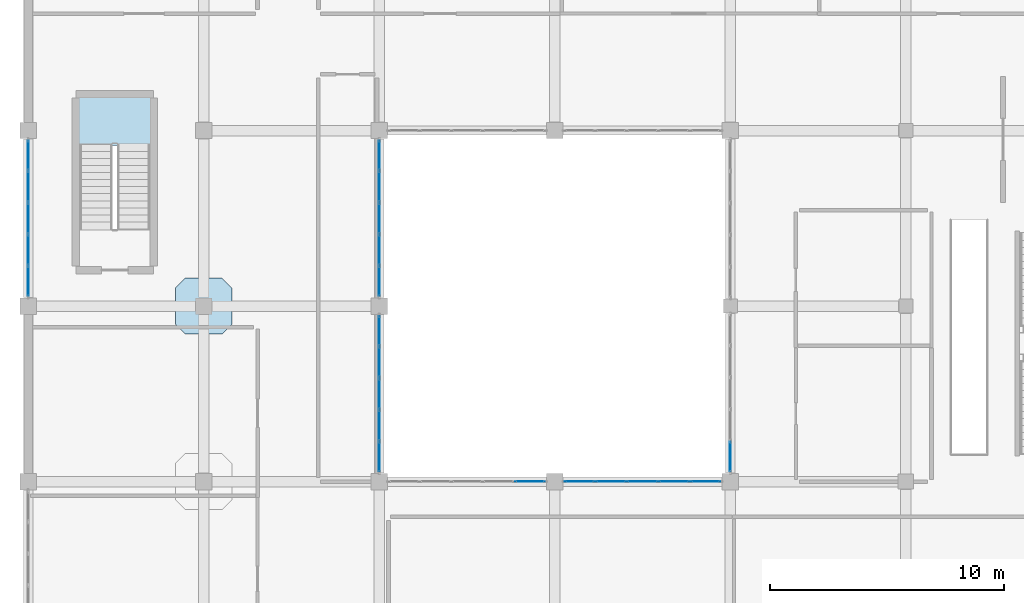
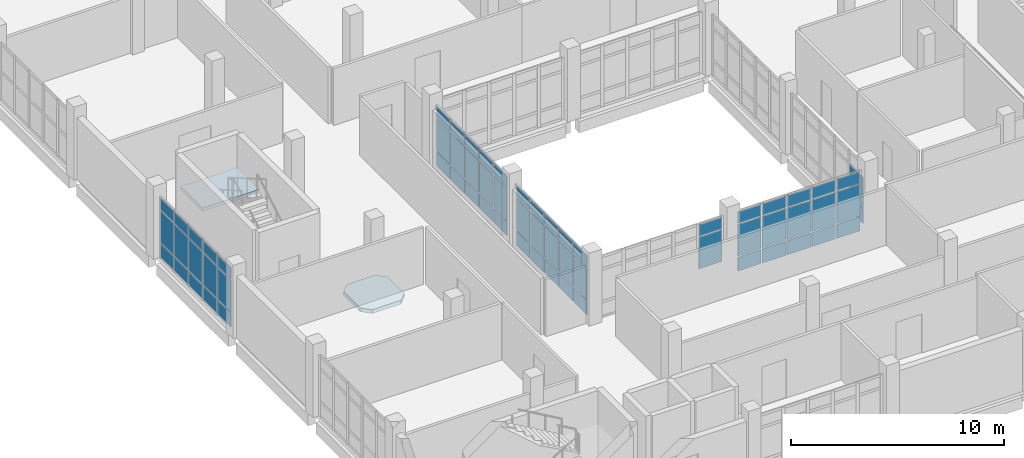
# One storey, part 121 of 164: 64 plates, 2 slabs, 7 elements without a shape of their own.
"""IFC4 building model written with IfcOpenShell, lengths in metres."""

from ifc_helpers import new_model, si_unit, direction, frame, origin, origin_2d, place, context, subcontext, project, spatial, polyline, rectangle, outline, extrude, material, layer, layer_set, type_object, element, aggregate, save


model = new_model("IFC4")

# Units and contexts
model_context = context("Model", 3, precision=1e-05, world=origin(), true_north=direction((0.0, 1.0)))
body_context = subcontext(model_context, "Body", "Model", "MODEL_VIEW")
ifc_project = project(units=[si_unit("LENGTHUNIT", "METRE"), si_unit("AREAUNIT", "SQUARE_METRE"), si_unit("VOLUMEUNIT", "CUBIC_METRE"), si_unit("PLANEANGLEUNIT", "RADIAN"), si_unit("MASSUNIT", "GRAM", prefix="KILO")], contexts=[model_context])

# Site, building, storey
site_placement = place(None, origin())
site = spatial("IfcSite", under=ifc_project, at=site_placement, CompositionType="ELEMENT")
building_placement = place(site_placement, origin())
building = spatial("IfcBuilding", under=site, at=building_placement, Name="Mawjan Specialist Oncology Clinic", CompositionType="ELEMENT")
storey_placement = place(building_placement, frame((0.0, 0.0, 5.0)))
storey = spatial("IfcBuildingStorey", under=building, at=storey_placement, Name="L01", CompositionType="ELEMENT", Elevation=5.0)

# Curtain wall, plates
ifc_material_1 = material(Name="Unitised spectrally selective aluminium curtain wall", Category="aluminium")
ifc_layer_1 = layer(ifc_material_1, 0.179931640625, Name="Unitised spectrally selective aluminium curtain wall", Category="aluminium")
ifc_layer_set_1 = layer_set([ifc_layer_1], Name="Unitised spectrally selective aluminium curtain wall")
curtain_wall_type_1 = type_object("IfcCurtainWallType", Name="CW-73", PredefinedType="NOTDEFINED", material=ifc_layer_set_1)
curtain_wall_1_placement = place(storey_placement, origin())
curtain_wall_1 = element("IfcCurtainWall", 1, at=curtain_wall_1_placement, inside=storey, type_object=curtain_wall_type_1, Name="L01 Unitised Curtain Wall CW-L01-146", PredefinedType="NOTDEFINED")
ifc_material_2 = material(Name="Spectrally selective double low-E glazing", Category="glass")
ifc_layer_2 = layer(ifc_material_2, 0.031982421875, Name="Spectrally selective double low-E glazing", Category="glass")
ifc_layer_set_2 = layer_set([ifc_layer_2], Name="Spectrally selective double low-E glazing")
plate_type = type_object("IfcPlateType", Name="CW-P32", PredefinedType="CURTAIN_PANEL", material=ifc_layer_set_2)
plate_1_placement = place(storey_placement, frame((0.0, 24.3623046875, 0.06494140625), z_axis=(0.0, 0.0, 1.0), x_axis=(0.0, 1.0, 0.0)))
plate_1 = element("IfcPlate", 2, at=plate_1_placement, type_object=plate_type, Name="CW-73 panel 1.1", PredefinedType="CURTAIN_PANEL", context=body_context, shape_type="SweptSolid", body=[
    extrude(rectangle(XDim=1.25439453125, YDim=0.031982421875, at=origin_2d()), origin(), (0.0, 0.0, 1.0), 0.802490234375),
])
plate_2_placement = place(storey_placement, frame((0.0, 24.3623046875, 0.9326171875), z_axis=(0.0, 0.0, 1.0), x_axis=(0.0, 1.0, 0.0)))
plate_2 = element("IfcPlate", 3, at=plate_2_placement, type_object=plate_type, Name="CW-73 panel 1.2", PredefinedType="CURTAIN_PANEL", context=body_context, shape_type="SweptSolid", body=[
    extrude(rectangle(XDim=1.25439453125, YDim=0.031982421875, at=origin_2d()), origin(), (0.0, 0.0, 1.0), 1.820068359375),
])
plate_3_placement = place(storey_placement, frame((0.0, 24.3623046875, 2.8173828125), z_axis=(0.0, 0.0, 1.0), x_axis=(0.0, 1.0, 0.0)))
plate_3 = element("IfcPlate", 4, at=plate_3_placement, type_object=plate_type, Name="CW-73 panel 1.3", PredefinedType="CURTAIN_PANEL", context=body_context, shape_type="SweptSolid", body=[
    extrude(rectangle(XDim=1.25439453125, YDim=0.031982421875, at=origin_2d()), origin(), (0.0, 0.0, 1.0), 0.652587890625),
])
plate_4_placement = place(storey_placement, frame((0.0, 25.697998046875, 0.06494140625), z_axis=(0.0, 0.0, 1.0), x_axis=(0.0, 1.0, 0.0)))
plate_4 = element("IfcPlate", 5, at=plate_4_placement, type_object=plate_type, Name="CW-73 panel 2.1", PredefinedType="CURTAIN_PANEL", context=body_context, shape_type="SweptSolid", body=[
    extrude(rectangle(XDim=1.287109375, YDim=0.031982421875, at=origin_2d()), origin(), (0.0, 0.0, 1.0), 0.802490234375),
])
plate_5_placement = place(storey_placement, frame((0.0, 25.697998046875, 0.9326171875), z_axis=(0.0, 0.0, 1.0), x_axis=(0.0, 1.0, 0.0)))
plate_5 = element("IfcPlate", 6, at=plate_5_placement, type_object=plate_type, Name="CW-73 panel 2.2", PredefinedType="CURTAIN_PANEL", context=body_context, shape_type="SweptSolid", body=[
    extrude(rectangle(XDim=1.287109375, YDim=0.031982421875, at=origin_2d()), origin(), (0.0, 0.0, 1.0), 1.820068359375),
])
plate_6_placement = place(storey_placement, frame((0.0, 25.697998046875, 2.8173828125), z_axis=(0.0, 0.0, 1.0), x_axis=(0.0, 1.0, 0.0)))
plate_6 = element("IfcPlate", 7, at=plate_6_placement, type_object=plate_type, Name="CW-73 panel 2.3", PredefinedType="CURTAIN_PANEL", context=body_context, shape_type="SweptSolid", body=[
    extrude(rectangle(XDim=1.287109375, YDim=0.031982421875, at=origin_2d()), origin(), (0.0, 0.0, 1.0), 0.652587890625),
])
plate_7_placement = place(storey_placement, frame((0.0, 27.050048828125, 0.06494140625), z_axis=(0.0, 0.0, 1.0), x_axis=(0.0, 1.0, 0.0)))
plate_7 = element("IfcPlate", 8, at=plate_7_placement, type_object=plate_type, Name="CW-73 panel 3.1", PredefinedType="CURTAIN_PANEL", context=body_context, shape_type="SweptSolid", body=[
    extrude(rectangle(XDim=1.287109375, YDim=0.031982421875, at=origin_2d()), origin(), (0.0, 0.0, 1.0), 0.802490234375),
])
plate_8_placement = place(storey_placement, frame((0.0, 27.050048828125, 0.9326171875), z_axis=(0.0, 0.0, 1.0), x_axis=(0.0, 1.0, 0.0)))
plate_8 = element("IfcPlate", 9, at=plate_8_placement, type_object=plate_type, Name="CW-73 panel 3.2", PredefinedType="CURTAIN_PANEL", context=body_context, shape_type="SweptSolid", body=[
    extrude(rectangle(XDim=1.287109375, YDim=0.031982421875, at=origin_2d()), origin(), (0.0, 0.0, 1.0), 1.820068359375),
])
plate_9_placement = place(storey_placement, frame((0.0, 27.050048828125, 2.8173828125), z_axis=(0.0, 0.0, 1.0), x_axis=(0.0, 1.0, 0.0)))
plate_9 = element("IfcPlate", 10, at=plate_9_placement, type_object=plate_type, Name="CW-73 panel 3.3", PredefinedType="CURTAIN_PANEL", context=body_context, shape_type="SweptSolid", body=[
    extrude(rectangle(XDim=1.287109375, YDim=0.031982421875, at=origin_2d()), origin(), (0.0, 0.0, 1.0), 0.652587890625),
])
plate_10_placement = place(storey_placement, frame((0.0, 28.402099609375, 0.06494140625), z_axis=(0.0, 0.0, 1.0), x_axis=(0.0, 1.0, 0.0)))
plate_10 = element("IfcPlate", 11, at=plate_10_placement, type_object=plate_type, Name="CW-73 panel 4.1", PredefinedType="CURTAIN_PANEL", context=body_context, shape_type="SweptSolid", body=[
    extrude(rectangle(XDim=1.287109375, YDim=0.031982421875, at=origin_2d()), origin(), (0.0, 0.0, 1.0), 0.802490234375),
])
plate_11_placement = place(storey_placement, frame((0.0, 28.402099609375, 0.9326171875), z_axis=(0.0, 0.0, 1.0), x_axis=(0.0, 1.0, 0.0)))
plate_11 = element("IfcPlate", 12, at=plate_11_placement, type_object=plate_type, Name="CW-73 panel 4.2", PredefinedType="CURTAIN_PANEL", context=body_context, shape_type="SweptSolid", body=[
    extrude(rectangle(XDim=1.287109375, YDim=0.031982421875, at=origin_2d()), origin(), (0.0, 0.0, 1.0), 1.820068359375),
])
plate_12_placement = place(storey_placement, frame((0.0, 28.402099609375, 2.8173828125), z_axis=(0.0, 0.0, 1.0), x_axis=(0.0, 1.0, 0.0)))
plate_12 = element("IfcPlate", 13, at=plate_12_placement, type_object=plate_type, Name="CW-73 panel 4.3", PredefinedType="CURTAIN_PANEL", context=body_context, shape_type="SweptSolid", body=[
    extrude(rectangle(XDim=1.287109375, YDim=0.031982421875, at=origin_2d()), origin(), (0.0, 0.0, 1.0), 0.652587890625),
])
plate_13_placement = place(storey_placement, frame((0.0, 29.73779296875, 0.06494140625), z_axis=(0.0, 0.0, 1.0), x_axis=(0.0, 1.0, 0.0)))
plate_13 = element("IfcPlate", 14, at=plate_13_placement, type_object=plate_type, Name="CW-73 panel 5.1", PredefinedType="CURTAIN_PANEL", context=body_context, shape_type="SweptSolid", body=[
    extrude(rectangle(XDim=1.25439453125, YDim=0.031982421875, at=origin_2d()), origin(), (0.0, 0.0, 1.0), 0.802490234375),
])
plate_14_placement = place(storey_placement, frame((0.0, 29.73779296875, 0.9326171875), z_axis=(0.0, 0.0, 1.0), x_axis=(0.0, 1.0, 0.0)))
plate_14 = element("IfcPlate", 15, at=plate_14_placement, type_object=plate_type, Name="CW-73 panel 5.2", PredefinedType="CURTAIN_PANEL", context=body_context, shape_type="SweptSolid", body=[
    extrude(rectangle(XDim=1.25439453125, YDim=0.031982421875, at=origin_2d()), origin(), (0.0, 0.0, 1.0), 1.820068359375),
])
plate_15_placement = place(storey_placement, frame((0.0, 29.73779296875, 2.8173828125), z_axis=(0.0, 0.0, 1.0), x_axis=(0.0, 1.0, 0.0)))
plate_15 = element("IfcPlate", 16, at=plate_15_placement, type_object=plate_type, Name="CW-73 panel 5.3", PredefinedType="CURTAIN_PANEL", context=body_context, shape_type="SweptSolid", body=[
    extrude(rectangle(XDim=1.25439453125, YDim=0.031982421875, at=origin_2d()), origin(), (0.0, 0.0, 1.0), 0.652587890625),
])
aggregate(curtain_wall_1, [plate_1, plate_2, plate_3, plate_4, plate_5, plate_6, plate_7, plate_8, plate_9, plate_10, plate_11, plate_12, plate_13, plate_14, plate_15])

ifc_material_3 = material(Name="Unitised spectrally selective aluminium curtain wall", Category="aluminium")
ifc_layer_3 = layer(ifc_material_3, 0.179931640625, Name="Unitised spectrally selective aluminium curtain wall", Category="aluminium")
ifc_layer_set_3 = layer_set([ifc_layer_3], Name="Unitised spectrally selective aluminium curtain wall")
curtain_wall_type_2 = type_object("IfcCurtainWallType", Name="CW-80", PredefinedType="NOTDEFINED", material=ifc_layer_set_3)
curtain_wall_2_placement = place(storey_placement, origin())
curtain_wall_2 = element("IfcCurtainWall", 17, at=curtain_wall_2_placement, inside=storey, type_object=curtain_wall_type_2, Name="L01 Unitised Curtain Wall CW-L01-159", PredefinedType="NOTDEFINED")
plate_16_placement = place(storey_placement, frame((30.0, 16.8671875, 0.06494140625), z_axis=(0.0, 0.0, 1.0), x_axis=(0.0, 1.0, 0.0)))
plate_16 = element("IfcPlate", 18, at=plate_16_placement, type_object=plate_type, Name="CW-80 panel 1.1", PredefinedType="CURTAIN_PANEL", context=body_context, shape_type="SweptSolid", body=[
    extrude(rectangle(XDim=1.264404296875, YDim=0.031982421875, at=origin_2d()), origin(), (0.0, 0.0, 1.0), 0.802490234375),
])
plate_17_placement = place(storey_placement, frame((30.0, 16.8671875, 0.932373046875), z_axis=(0.0, 0.0, 1.0), x_axis=(0.0, 1.0, 0.0)))
plate_17 = element("IfcPlate", 19, at=plate_17_placement, type_object=plate_type, Name="CW-80 panel 1.2", PredefinedType="CURTAIN_PANEL", context=body_context, shape_type="SweptSolid", body=[
    extrude(rectangle(XDim=1.264404296875, YDim=0.031982421875, at=origin_2d()), origin(), (0.0, 0.0, 1.0), 1.77001953125),
])
aggregate(curtain_wall_2, [plate_16, plate_17])

curtain_wall_3_placement = place(storey_placement, origin())
curtain_wall_3 = element("IfcCurtainWall", 20, at=curtain_wall_3_placement, inside=storey, type_object=curtain_wall_type_1, Name="L01 Unitised Curtain Wall CW-L01-163", PredefinedType="NOTDEFINED")
plate_18_placement = place(storey_placement, frame((15.0, 29.73779296875, 0.06494140625), z_axis=(0.0, 0.0, 1.0), x_axis=(0.0, -1.0, 0.0)))
plate_18 = element("IfcPlate", 21, at=plate_18_placement, type_object=plate_type, Name="CW-73 panel 1.1", PredefinedType="CURTAIN_PANEL", context=body_context, shape_type="SweptSolid", body=[
    extrude(rectangle(XDim=1.25439453125, YDim=0.031982421875, at=origin_2d()), origin(), (0.0, 0.0, 1.0), 0.802490234375),
])
plate_19_placement = place(storey_placement, frame((15.0, 29.73779296875, 0.9326171875), z_axis=(0.0, 0.0, 1.0), x_axis=(0.0, -1.0, 0.0)))
plate_19 = element("IfcPlate", 22, at=plate_19_placement, type_object=plate_type, Name="CW-73 panel 1.2", PredefinedType="CURTAIN_PANEL", context=body_context, shape_type="SweptSolid", body=[
    extrude(rectangle(XDim=1.25439453125, YDim=0.031982421875, at=origin_2d()), origin(), (0.0, 0.0, 1.0), 1.820068359375),
])
plate_20_placement = place(storey_placement, frame((15.0, 29.73779296875, 2.8173828125), z_axis=(0.0, 0.0, 1.0), x_axis=(0.0, -1.0, 0.0)))
plate_20 = element("IfcPlate", 23, at=plate_20_placement, type_object=plate_type, Name="CW-73 panel 1.3", PredefinedType="CURTAIN_PANEL", context=body_context, shape_type="SweptSolid", body=[
    extrude(rectangle(XDim=1.25439453125, YDim=0.031982421875, at=origin_2d()), origin(), (0.0, 0.0, 1.0), 0.652587890625),
])
plate_21_placement = place(storey_placement, frame((15.0, 28.402099609375, 0.06494140625), z_axis=(0.0, 0.0, 1.0), x_axis=(0.0, -1.0, 0.0)))
plate_21 = element("IfcPlate", 24, at=plate_21_placement, type_object=plate_type, Name="CW-73 panel 2.1", PredefinedType="CURTAIN_PANEL", context=body_context, shape_type="SweptSolid", body=[
    extrude(rectangle(XDim=1.287109375, YDim=0.031982421875, at=origin_2d()), origin(), (0.0, 0.0, 1.0), 0.802490234375),
])
plate_22_placement = place(storey_placement, frame((15.0, 28.402099609375, 0.9326171875), z_axis=(0.0, 0.0, 1.0), x_axis=(0.0, -1.0, 0.0)))
plate_22 = element("IfcPlate", 25, at=plate_22_placement, type_object=plate_type, Name="CW-73 panel 2.2", PredefinedType="CURTAIN_PANEL", context=body_context, shape_type="SweptSolid", body=[
    extrude(rectangle(XDim=1.287109375, YDim=0.031982421875, at=origin_2d()), origin(), (0.0, 0.0, 1.0), 1.820068359375),
])
plate_23_placement = place(storey_placement, frame((15.0, 28.402099609375, 2.8173828125), z_axis=(0.0, 0.0, 1.0), x_axis=(0.0, -1.0, 0.0)))
plate_23 = element("IfcPlate", 26, at=plate_23_placement, type_object=plate_type, Name="CW-73 panel 2.3", PredefinedType="CURTAIN_PANEL", context=body_context, shape_type="SweptSolid", body=[
    extrude(rectangle(XDim=1.287109375, YDim=0.031982421875, at=origin_2d()), origin(), (0.0, 0.0, 1.0), 0.652587890625),
])
plate_24_placement = place(storey_placement, frame((15.0, 27.050048828125, 0.06494140625), z_axis=(0.0, 0.0, 1.0), x_axis=(0.0, -1.0, 0.0)))
plate_24 = element("IfcPlate", 27, at=plate_24_placement, type_object=plate_type, Name="CW-73 panel 3.1", PredefinedType="CURTAIN_PANEL", context=body_context, shape_type="SweptSolid", body=[
    extrude(rectangle(XDim=1.287109375, YDim=0.031982421875, at=origin_2d()), origin(), (0.0, 0.0, 1.0), 0.802490234375),
])
plate_25_placement = place(storey_placement, frame((15.0, 27.050048828125, 0.9326171875), z_axis=(0.0, 0.0, 1.0), x_axis=(0.0, -1.0, 0.0)))
plate_25 = element("IfcPlate", 28, at=plate_25_placement, type_object=plate_type, Name="CW-73 panel 3.2", PredefinedType="CURTAIN_PANEL", context=body_context, shape_type="SweptSolid", body=[
    extrude(rectangle(XDim=1.287109375, YDim=0.031982421875, at=origin_2d()), origin(), (0.0, 0.0, 1.0), 1.820068359375),
])
plate_26_placement = place(storey_placement, frame((15.0, 27.050048828125, 2.8173828125), z_axis=(0.0, 0.0, 1.0), x_axis=(0.0, -1.0, 0.0)))
plate_26 = element("IfcPlate", 29, at=plate_26_placement, type_object=plate_type, Name="CW-73 panel 3.3", PredefinedType="CURTAIN_PANEL", context=body_context, shape_type="SweptSolid", body=[
    extrude(rectangle(XDim=1.287109375, YDim=0.031982421875, at=origin_2d()), origin(), (0.0, 0.0, 1.0), 0.652587890625),
])
plate_27_placement = place(storey_placement, frame((15.0, 25.697998046875, 0.06494140625), z_axis=(0.0, 0.0, 1.0), x_axis=(0.0, -1.0, 0.0)))
plate_27 = element("IfcPlate", 30, at=plate_27_placement, type_object=plate_type, Name="CW-73 panel 4.1", PredefinedType="CURTAIN_PANEL", context=body_context, shape_type="SweptSolid", body=[
    extrude(rectangle(XDim=1.287109375, YDim=0.031982421875, at=origin_2d()), origin(), (0.0, 0.0, 1.0), 0.802490234375),
])
plate_28_placement = place(storey_placement, frame((15.0, 25.697998046875, 0.9326171875), z_axis=(0.0, 0.0, 1.0), x_axis=(0.0, -1.0, 0.0)))
plate_28 = element("IfcPlate", 31, at=plate_28_placement, type_object=plate_type, Name="CW-73 panel 4.2", PredefinedType="CURTAIN_PANEL", context=body_context, shape_type="SweptSolid", body=[
    extrude(rectangle(XDim=1.287109375, YDim=0.031982421875, at=origin_2d()), origin(), (0.0, 0.0, 1.0), 1.820068359375),
])
plate_29_placement = place(storey_placement, frame((15.0, 25.697998046875, 2.8173828125), z_axis=(0.0, 0.0, 1.0), x_axis=(0.0, -1.0, 0.0)))
plate_29 = element("IfcPlate", 32, at=plate_29_placement, type_object=plate_type, Name="CW-73 panel 4.3", PredefinedType="CURTAIN_PANEL", context=body_context, shape_type="SweptSolid", body=[
    extrude(rectangle(XDim=1.287109375, YDim=0.031982421875, at=origin_2d()), origin(), (0.0, 0.0, 1.0), 0.652587890625),
])
plate_30_placement = place(storey_placement, frame((15.0, 24.3623046875, 0.06494140625), z_axis=(0.0, 0.0, 1.0), x_axis=(0.0, -1.0, 0.0)))
plate_30 = element("IfcPlate", 33, at=plate_30_placement, type_object=plate_type, Name="CW-73 panel 5.1", PredefinedType="CURTAIN_PANEL", context=body_context, shape_type="SweptSolid", body=[
    extrude(rectangle(XDim=1.25439453125, YDim=0.031982421875, at=origin_2d()), origin(), (0.0, 0.0, 1.0), 0.802490234375),
])
plate_31_placement = place(storey_placement, frame((15.0, 24.3623046875, 0.9326171875), z_axis=(0.0, 0.0, 1.0), x_axis=(0.0, -1.0, 0.0)))
plate_31 = element("IfcPlate", 34, at=plate_31_placement, type_object=plate_type, Name="CW-73 panel 5.2", PredefinedType="CURTAIN_PANEL", context=body_context, shape_type="SweptSolid", body=[
    extrude(rectangle(XDim=1.25439453125, YDim=0.031982421875, at=origin_2d()), origin(), (0.0, 0.0, 1.0), 1.820068359375),
])
plate_32_placement = place(storey_placement, frame((15.0, 24.3623046875, 2.8173828125), z_axis=(0.0, 0.0, 1.0), x_axis=(0.0, -1.0, 0.0)))
plate_32 = element("IfcPlate", 35, at=plate_32_placement, type_object=plate_type, Name="CW-73 panel 5.3", PredefinedType="CURTAIN_PANEL", context=body_context, shape_type="SweptSolid", body=[
    extrude(rectangle(XDim=1.25439453125, YDim=0.031982421875, at=origin_2d()), origin(), (0.0, 0.0, 1.0), 0.652587890625),
])
aggregate(curtain_wall_3, [plate_18, plate_19, plate_20, plate_21, plate_22, plate_23, plate_24, plate_25, plate_26, plate_27, plate_28, plate_29, plate_30, plate_31, plate_32])

curtain_wall_4_placement = place(storey_placement, origin())
curtain_wall_4 = element("IfcCurtainWall", 36, at=curtain_wall_4_placement, inside=storey, type_object=curtain_wall_type_1, Name="L01 Unitised Curtain Wall CW-L01-164", PredefinedType="NOTDEFINED")
plate_33_placement = place(storey_placement, frame((15.0, 22.23779296875, 0.06494140625), z_axis=(0.0, 0.0, 1.0), x_axis=(0.0, -1.0, 0.0)))
plate_33 = element("IfcPlate", 37, at=plate_33_placement, type_object=plate_type, Name="CW-73 panel 1.1", PredefinedType="CURTAIN_PANEL", context=body_context, shape_type="SweptSolid", body=[
    extrude(rectangle(XDim=1.25439453125, YDim=0.031982421875, at=origin_2d()), origin(), (0.0, 0.0, 1.0), 0.802490234375),
])
plate_34_placement = place(storey_placement, frame((15.0, 22.23779296875, 0.9326171875), z_axis=(0.0, 0.0, 1.0), x_axis=(0.0, -1.0, 0.0)))
plate_34 = element("IfcPlate", 38, at=plate_34_placement, type_object=plate_type, Name="CW-73 panel 1.2", PredefinedType="CURTAIN_PANEL", context=body_context, shape_type="SweptSolid", body=[
    extrude(rectangle(XDim=1.25439453125, YDim=0.031982421875, at=origin_2d()), origin(), (0.0, 0.0, 1.0), 1.820068359375),
])
plate_35_placement = place(storey_placement, frame((15.0, 22.23779296875, 2.8173828125), z_axis=(0.0, 0.0, 1.0), x_axis=(0.0, -1.0, 0.0)))
plate_35 = element("IfcPlate", 39, at=plate_35_placement, type_object=plate_type, Name="CW-73 panel 1.3", PredefinedType="CURTAIN_PANEL", context=body_context, shape_type="SweptSolid", body=[
    extrude(rectangle(XDim=1.25439453125, YDim=0.031982421875, at=origin_2d()), origin(), (0.0, 0.0, 1.0), 0.652587890625),
])
plate_36_placement = place(storey_placement, frame((15.0, 20.902099609375, 0.06494140625), z_axis=(0.0, 0.0, 1.0), x_axis=(0.0, -1.0, 0.0)))
plate_36 = element("IfcPlate", 40, at=plate_36_placement, type_object=plate_type, Name="CW-73 panel 2.1", PredefinedType="CURTAIN_PANEL", context=body_context, shape_type="SweptSolid", body=[
    extrude(rectangle(XDim=1.287109375, YDim=0.031982421875, at=origin_2d()), origin(), (0.0, 0.0, 1.0), 0.802490234375),
])
plate_37_placement = place(storey_placement, frame((15.0, 20.902099609375, 0.9326171875), z_axis=(0.0, 0.0, 1.0), x_axis=(0.0, -1.0, 0.0)))
plate_37 = element("IfcPlate", 41, at=plate_37_placement, type_object=plate_type, Name="CW-73 panel 2.2", PredefinedType="CURTAIN_PANEL", context=body_context, shape_type="SweptSolid", body=[
    extrude(rectangle(XDim=1.287109375, YDim=0.031982421875, at=origin_2d()), origin(), (0.0, 0.0, 1.0), 1.820068359375),
])
plate_38_placement = place(storey_placement, frame((15.0, 20.902099609375, 2.8173828125), z_axis=(0.0, 0.0, 1.0), x_axis=(0.0, -1.0, 0.0)))
plate_38 = element("IfcPlate", 42, at=plate_38_placement, type_object=plate_type, Name="CW-73 panel 2.3", PredefinedType="CURTAIN_PANEL", context=body_context, shape_type="SweptSolid", body=[
    extrude(rectangle(XDim=1.287109375, YDim=0.031982421875, at=origin_2d()), origin(), (0.0, 0.0, 1.0), 0.652587890625),
])
plate_39_placement = place(storey_placement, frame((15.0, 19.550048828125, 0.06494140625), z_axis=(0.0, 0.0, 1.0), x_axis=(0.0, -1.0, 0.0)))
plate_39 = element("IfcPlate", 43, at=plate_39_placement, type_object=plate_type, Name="CW-73 panel 3.1", PredefinedType="CURTAIN_PANEL", context=body_context, shape_type="SweptSolid", body=[
    extrude(rectangle(XDim=1.287109375, YDim=0.031982421875, at=origin_2d()), origin(), (0.0, 0.0, 1.0), 0.802490234375),
])
plate_40_placement = place(storey_placement, frame((15.0, 19.550048828125, 0.9326171875), z_axis=(0.0, 0.0, 1.0), x_axis=(0.0, -1.0, 0.0)))
plate_40 = element("IfcPlate", 44, at=plate_40_placement, type_object=plate_type, Name="CW-73 panel 3.2", PredefinedType="CURTAIN_PANEL", context=body_context, shape_type="SweptSolid", body=[
    extrude(rectangle(XDim=1.287109375, YDim=0.031982421875, at=origin_2d()), origin(), (0.0, 0.0, 1.0), 1.820068359375),
])
plate_41_placement = place(storey_placement, frame((15.0, 19.550048828125, 2.8173828125), z_axis=(0.0, 0.0, 1.0), x_axis=(0.0, -1.0, 0.0)))
plate_41 = element("IfcPlate", 45, at=plate_41_placement, type_object=plate_type, Name="CW-73 panel 3.3", PredefinedType="CURTAIN_PANEL", context=body_context, shape_type="SweptSolid", body=[
    extrude(rectangle(XDim=1.287109375, YDim=0.031982421875, at=origin_2d()), origin(), (0.0, 0.0, 1.0), 0.652587890625),
])
plate_42_placement = place(storey_placement, frame((15.0, 18.197998046875, 0.06494140625), z_axis=(0.0, 0.0, 1.0), x_axis=(0.0, -1.0, 0.0)))
plate_42 = element("IfcPlate", 46, at=plate_42_placement, type_object=plate_type, Name="CW-73 panel 4.1", PredefinedType="CURTAIN_PANEL", context=body_context, shape_type="SweptSolid", body=[
    extrude(rectangle(XDim=1.287109375, YDim=0.031982421875, at=origin_2d()), origin(), (0.0, 0.0, 1.0), 0.802490234375),
])
plate_43_placement = place(storey_placement, frame((15.0, 18.197998046875, 0.9326171875), z_axis=(0.0, 0.0, 1.0), x_axis=(0.0, -1.0, 0.0)))
plate_43 = element("IfcPlate", 47, at=plate_43_placement, type_object=plate_type, Name="CW-73 panel 4.2", PredefinedType="CURTAIN_PANEL", context=body_context, shape_type="SweptSolid", body=[
    extrude(rectangle(XDim=1.287109375, YDim=0.031982421875, at=origin_2d()), origin(), (0.0, 0.0, 1.0), 1.820068359375),
])
plate_44_placement = place(storey_placement, frame((15.0, 18.197998046875, 2.8173828125), z_axis=(0.0, 0.0, 1.0), x_axis=(0.0, -1.0, 0.0)))
plate_44 = element("IfcPlate", 48, at=plate_44_placement, type_object=plate_type, Name="CW-73 panel 4.3", PredefinedType="CURTAIN_PANEL", context=body_context, shape_type="SweptSolid", body=[
    extrude(rectangle(XDim=1.287109375, YDim=0.031982421875, at=origin_2d()), origin(), (0.0, 0.0, 1.0), 0.652587890625),
])
plate_45_placement = place(storey_placement, frame((15.0, 16.8623046875, 0.06494140625), z_axis=(0.0, 0.0, 1.0), x_axis=(0.0, -1.0, 0.0)))
plate_45 = element("IfcPlate", 49, at=plate_45_placement, type_object=plate_type, Name="CW-73 panel 5.1", PredefinedType="CURTAIN_PANEL", context=body_context, shape_type="SweptSolid", body=[
    extrude(rectangle(XDim=1.25439453125, YDim=0.031982421875, at=origin_2d()), origin(), (0.0, 0.0, 1.0), 0.802490234375),
])
plate_46_placement = place(storey_placement, frame((15.0, 16.8623046875, 0.9326171875), z_axis=(0.0, 0.0, 1.0), x_axis=(0.0, -1.0, 0.0)))
plate_46 = element("IfcPlate", 50, at=plate_46_placement, type_object=plate_type, Name="CW-73 panel 5.2", PredefinedType="CURTAIN_PANEL", context=body_context, shape_type="SweptSolid", body=[
    extrude(rectangle(XDim=1.25439453125, YDim=0.031982421875, at=origin_2d()), origin(), (0.0, 0.0, 1.0), 1.820068359375),
])
plate_47_placement = place(storey_placement, frame((15.0, 16.8623046875, 2.8173828125), z_axis=(0.0, 0.0, 1.0), x_axis=(0.0, -1.0, 0.0)))
plate_47 = element("IfcPlate", 51, at=plate_47_placement, type_object=plate_type, Name="CW-73 panel 5.3", PredefinedType="CURTAIN_PANEL", context=body_context, shape_type="SweptSolid", body=[
    extrude(rectangle(XDim=1.25439453125, YDim=0.031982421875, at=origin_2d()), origin(), (0.0, 0.0, 1.0), 0.652587890625),
])
aggregate(curtain_wall_4, [plate_33, plate_34, plate_35, plate_36, plate_37, plate_38, plate_39, plate_40, plate_41, plate_42, plate_43, plate_44, plate_45, plate_46, plate_47])

curtain_wall_5_placement = place(storey_placement, origin())
curtain_wall_5 = element("IfcCurtainWall", 52, at=curtain_wall_5_placement, inside=storey, type_object=curtain_wall_type_1, Name="L01 Unitised Curtain Wall CW-L01-165", PredefinedType="NOTDEFINED")
plate_48_placement = place(storey_placement, frame((21.437744140625, 15.800048828125, 0.9326171875), z_axis=(0.0, 0.0, 1.0), x_axis=(1.0, 0.0, 0.0)))
plate_48 = element("IfcPlate", 53, at=plate_48_placement, type_object=plate_type, Name="CW-73 panel 5.2", PredefinedType="CURTAIN_PANEL", context=body_context, shape_type="SweptSolid", body=[
    extrude(rectangle(XDim=1.25439453125, YDim=0.031982421875, at=origin_2d()), origin(), (0.0, 0.0, 1.0), 1.820068359375),
])
plate_49_placement = place(storey_placement, frame((21.437744140625, 15.800048828125, 2.8173828125), z_axis=(0.0, 0.0, 1.0), x_axis=(1.0, 0.0, 0.0)))
plate_49 = element("IfcPlate", 54, at=plate_49_placement, type_object=plate_type, Name="CW-73 panel 5.3", PredefinedType="CURTAIN_PANEL", context=body_context, shape_type="SweptSolid", body=[
    extrude(rectangle(XDim=1.25439453125, YDim=0.031982421875, at=origin_2d()), origin(), (0.0, 0.0, 1.0), 0.652587890625),
])
aggregate(curtain_wall_5, [plate_48, plate_49])

curtain_wall_6_placement = place(storey_placement, origin())
curtain_wall_6 = element("IfcCurtainWall", 55, at=curtain_wall_6_placement, inside=storey, type_object=curtain_wall_type_1, Name="L01 Unitised Curtain Wall CW-L01-166", PredefinedType="NOTDEFINED")
plate_50_placement = place(storey_placement, frame((23.562255859375, 15.800048828125, 0.06494140625), z_axis=(0.0, 0.0, 1.0), x_axis=(1.0, 0.0, 0.0)))
plate_50 = element("IfcPlate", 56, at=plate_50_placement, type_object=plate_type, Name="CW-73 panel 1.1", PredefinedType="CURTAIN_PANEL", context=body_context, shape_type="SweptSolid", body=[
    extrude(rectangle(XDim=1.25439453125, YDim=0.031982421875, at=origin_2d()), origin(), (0.0, 0.0, 1.0), 0.802490234375),
])
plate_51_placement = place(storey_placement, frame((23.562255859375, 15.800048828125, 0.9326171875), z_axis=(0.0, 0.0, 1.0), x_axis=(1.0, 0.0, 0.0)))
plate_51 = element("IfcPlate", 57, at=plate_51_placement, type_object=plate_type, Name="CW-73 panel 1.2", PredefinedType="CURTAIN_PANEL", context=body_context, shape_type="SweptSolid", body=[
    extrude(rectangle(XDim=1.25439453125, YDim=0.031982421875, at=origin_2d()), origin(), (0.0, 0.0, 1.0), 1.820068359375),
])
plate_52_placement = place(storey_placement, frame((23.562255859375, 15.800048828125, 2.8173828125), z_axis=(0.0, 0.0, 1.0), x_axis=(1.0, 0.0, 0.0)))
plate_52 = element("IfcPlate", 58, at=plate_52_placement, type_object=plate_type, Name="CW-73 panel 1.3", PredefinedType="CURTAIN_PANEL", context=body_context, shape_type="SweptSolid", body=[
    extrude(rectangle(XDim=1.25439453125, YDim=0.031982421875, at=origin_2d()), origin(), (0.0, 0.0, 1.0), 0.652587890625),
])
plate_53_placement = place(storey_placement, frame((24.89794921875, 15.800048828125, 0.06494140625), z_axis=(0.0, 0.0, 1.0), x_axis=(1.0, 0.0, 0.0)))
plate_53 = element("IfcPlate", 59, at=plate_53_placement, type_object=plate_type, Name="CW-73 panel 2.1", PredefinedType="CURTAIN_PANEL", context=body_context, shape_type="SweptSolid", body=[
    extrude(rectangle(XDim=1.287109375, YDim=0.031982421875, at=origin_2d()), origin(), (0.0, 0.0, 1.0), 0.802490234375),
])
plate_54_placement = place(storey_placement, frame((24.89794921875, 15.800048828125, 0.9326171875), z_axis=(0.0, 0.0, 1.0), x_axis=(1.0, 0.0, 0.0)))
plate_54 = element("IfcPlate", 60, at=plate_54_placement, type_object=plate_type, Name="CW-73 panel 2.2", PredefinedType="CURTAIN_PANEL", context=body_context, shape_type="SweptSolid", body=[
    extrude(rectangle(XDim=1.287109375, YDim=0.031982421875, at=origin_2d()), origin(), (0.0, 0.0, 1.0), 1.820068359375),
])
plate_55_placement = place(storey_placement, frame((24.89794921875, 15.800048828125, 2.8173828125), z_axis=(0.0, 0.0, 1.0), x_axis=(1.0, 0.0, 0.0)))
plate_55 = element("IfcPlate", 61, at=plate_55_placement, type_object=plate_type, Name="CW-73 panel 2.3", PredefinedType="CURTAIN_PANEL", context=body_context, shape_type="SweptSolid", body=[
    extrude(rectangle(XDim=1.287109375, YDim=0.031982421875, at=origin_2d()), origin(), (0.0, 0.0, 1.0), 0.652587890625),
])
plate_56_placement = place(storey_placement, frame((26.25, 15.800048828125, 0.06494140625), z_axis=(0.0, 0.0, 1.0), x_axis=(1.0, 0.0, 0.0)))
plate_56 = element("IfcPlate", 62, at=plate_56_placement, type_object=plate_type, Name="CW-73 panel 3.1", PredefinedType="CURTAIN_PANEL", context=body_context, shape_type="SweptSolid", body=[
    extrude(rectangle(XDim=1.287109375, YDim=0.031982421875, at=origin_2d()), origin(), (0.0, 0.0, 1.0), 0.802490234375),
])
plate_57_placement = place(storey_placement, frame((26.25, 15.800048828125, 0.9326171875), z_axis=(0.0, 0.0, 1.0), x_axis=(1.0, 0.0, 0.0)))
plate_57 = element("IfcPlate", 63, at=plate_57_placement, type_object=plate_type, Name="CW-73 panel 3.2", PredefinedType="CURTAIN_PANEL", context=body_context, shape_type="SweptSolid", body=[
    extrude(rectangle(XDim=1.287109375, YDim=0.031982421875, at=origin_2d()), origin(), (0.0, 0.0, 1.0), 1.820068359375),
])
plate_58_placement = place(storey_placement, frame((26.25, 15.800048828125, 2.8173828125), z_axis=(0.0, 0.0, 1.0), x_axis=(1.0, 0.0, 0.0)))
plate_58 = element("IfcPlate", 64, at=plate_58_placement, type_object=plate_type, Name="CW-73 panel 3.3", PredefinedType="CURTAIN_PANEL", context=body_context, shape_type="SweptSolid", body=[
    extrude(rectangle(XDim=1.287109375, YDim=0.031982421875, at=origin_2d()), origin(), (0.0, 0.0, 1.0), 0.652587890625),
])
plate_59_placement = place(storey_placement, frame((27.60205078125, 15.800048828125, 0.06494140625), z_axis=(0.0, 0.0, 1.0), x_axis=(1.0, 0.0, 0.0)))
plate_59 = element("IfcPlate", 65, at=plate_59_placement, type_object=plate_type, Name="CW-73 panel 4.1", PredefinedType="CURTAIN_PANEL", context=body_context, shape_type="SweptSolid", body=[
    extrude(rectangle(XDim=1.287109375, YDim=0.031982421875, at=origin_2d()), origin(), (0.0, 0.0, 1.0), 0.802490234375),
])
plate_60_placement = place(storey_placement, frame((27.60205078125, 15.800048828125, 0.9326171875), z_axis=(0.0, 0.0, 1.0), x_axis=(1.0, 0.0, 0.0)))
plate_60 = element("IfcPlate", 66, at=plate_60_placement, type_object=plate_type, Name="CW-73 panel 4.2", PredefinedType="CURTAIN_PANEL", context=body_context, shape_type="SweptSolid", body=[
    extrude(rectangle(XDim=1.287109375, YDim=0.031982421875, at=origin_2d()), origin(), (0.0, 0.0, 1.0), 1.820068359375),
])
plate_61_placement = place(storey_placement, frame((27.60205078125, 15.800048828125, 2.8173828125), z_axis=(0.0, 0.0, 1.0), x_axis=(1.0, 0.0, 0.0)))
plate_61 = element("IfcPlate", 67, at=plate_61_placement, type_object=plate_type, Name="CW-73 panel 4.3", PredefinedType="CURTAIN_PANEL", context=body_context, shape_type="SweptSolid", body=[
    extrude(rectangle(XDim=1.287109375, YDim=0.031982421875, at=origin_2d()), origin(), (0.0, 0.0, 1.0), 0.652587890625),
])
plate_62_placement = place(storey_placement, frame((28.937744140625, 15.800048828125, 0.06494140625), z_axis=(0.0, 0.0, 1.0), x_axis=(1.0, 0.0, 0.0)))
plate_62 = element("IfcPlate", 68, at=plate_62_placement, type_object=plate_type, Name="CW-73 panel 5.1", PredefinedType="CURTAIN_PANEL", context=body_context, shape_type="SweptSolid", body=[
    extrude(rectangle(XDim=1.25439453125, YDim=0.031982421875, at=origin_2d()), origin(), (0.0, 0.0, 1.0), 0.802490234375),
])
plate_63_placement = place(storey_placement, frame((28.937744140625, 15.800048828125, 0.9326171875), z_axis=(0.0, 0.0, 1.0), x_axis=(1.0, 0.0, 0.0)))
plate_63 = element("IfcPlate", 69, at=plate_63_placement, type_object=plate_type, Name="CW-73 panel 5.2", PredefinedType="CURTAIN_PANEL", context=body_context, shape_type="SweptSolid", body=[
    extrude(rectangle(XDim=1.25439453125, YDim=0.031982421875, at=origin_2d()), origin(), (0.0, 0.0, 1.0), 1.820068359375),
])
plate_64_placement = place(storey_placement, frame((28.937744140625, 15.800048828125, 2.8173828125), z_axis=(0.0, 0.0, 1.0), x_axis=(1.0, 0.0, 0.0)))
plate_64 = element("IfcPlate", 70, at=plate_64_placement, type_object=plate_type, Name="CW-73 panel 5.3", PredefinedType="CURTAIN_PANEL", context=body_context, shape_type="SweptSolid", body=[
    extrude(rectangle(XDim=1.25439453125, YDim=0.031982421875, at=origin_2d()), origin(), (0.0, 0.0, 1.0), 0.652587890625),
])
aggregate(curtain_wall_6, [plate_50, plate_51, plate_52, plate_53, plate_54, plate_55, plate_56, plate_57, plate_58, plate_59, plate_60, plate_61, plate_62, plate_63, plate_64])

# Slab
ifc_material_4 = material(Name="Concrete C35/45", Category="concrete")
ifc_layer_4 = layer(ifc_material_4, 0.219970703125, Name="Concrete C35/45", Category="concrete")
ifc_layer_set_4 = layer_set([ifc_layer_4], Name="Concrete C35/45")
slab_type_1 = type_object("IfcSlabType", Name="DP-220", PredefinedType="FLOOR", material=ifc_layer_set_4)
slab_1_placement = place(storey_placement, frame((0.0, 0.0, -0.52001953125)))
element("IfcSlab", 71, at=slab_1_placement, inside=storey, type_object=slab_type_1, Name="L01 Octagonal Column Drop Panel DP-L01-006", PredefinedType="FLOOR", context=body_context, shape_type="SweptSolid", body=[
    extrude(outline(polyline([(6.719970703125, 22.10009765625), (8.280029296875, 22.10009765625), (8.699951171875, 22.52001953125), (8.699951171875, 24.080078125), (8.280029296875, 24.5), (6.719970703125, 24.5), (6.300048828125, 24.080078125), (6.300048828125, 22.52001953125), (6.719970703125, 22.10009765625)])), origin(), (0.0, 0.0, 1.0), 0.219970703125),
])

# Stair, slab
ifc_material_5 = material(Name="Concrete C35/45", Category="concrete")
stair_type = type_object("IfcStairType", Name="STR-CORE45", PredefinedType="HALF_TURN_STAIR", material=ifc_material_5)
stair_placement = place(storey_placement, origin())
stair = element("IfcStair", 72, at=stair_placement, inside=storey, type_object=stair_type, Name="L01 Exit Stair ST-02", PredefinedType="HALF_TURN_STAIR")
ifc_material_6 = material(Name="Concrete C35/45", Category="concrete")
ifc_layer_5 = layer(ifc_material_6, 0.199951171875, Name="Concrete C35/45", Category="concrete")
ifc_layer_set_5 = layer_set([ifc_layer_5], Name="Concrete C35/45")
slab_type_2 = type_object("IfcSlabType", Name="LND-200", PredefinedType="LANDING", material=ifc_layer_set_5)
slab_2_placement = place(storey_placement, frame((0.0, 0.0, 2.050048828125)))
slab_2 = element("IfcSlab", 73, at=slab_2_placement, type_object=slab_type_2, Name="ST-02 landing 1", PredefinedType="LANDING", context=body_context, shape_type="SweptSolid", body=[
    extrude(outline(polyline([(5.25, 30.166748046875), (5.25, 32.2333984375), (2.150146484375, 32.2333984375), (2.150146484375, 30.166748046875), (5.25, 30.166748046875)])), origin(), (0.0, 0.0, 1.0), 0.199951171875),
])
aggregate(stair, [slab_2])

save(model, "model.ifc")
